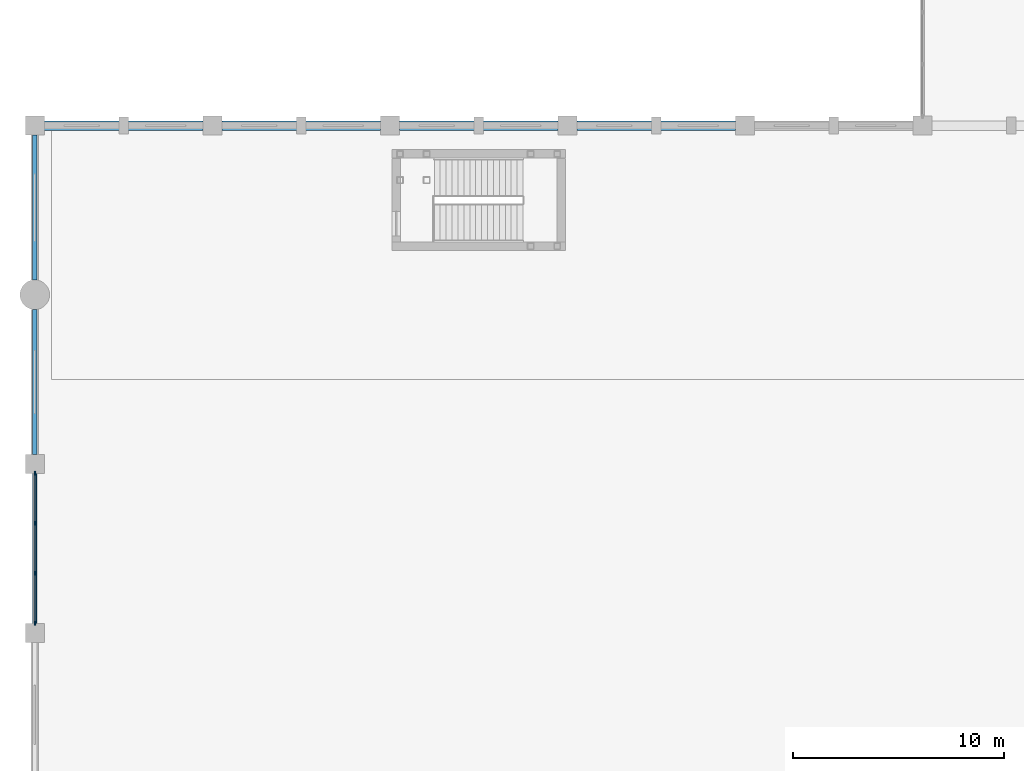
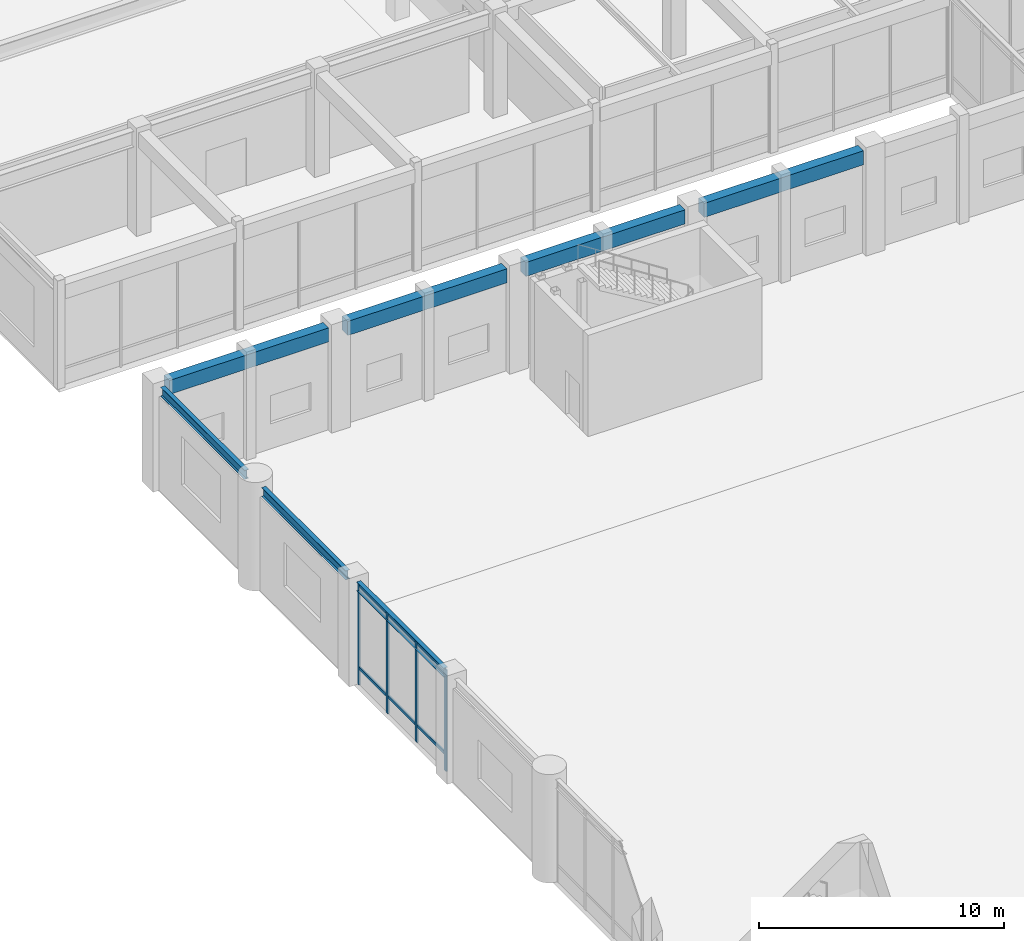
# One storey, part 21 of 79: 10 members, 7 beams, 1 element without a shape of its own.
"""IFC4 building model written with IfcOpenShell, lengths in metres."""

from ifc_helpers import new_model, si_unit, direction, frame, origin, origin_2d, place, context, subcontext, project, spatial, rectangle, i_section, extrude, material, layer, layer_set, material_profile, profile_set, type_object, element, aggregate, save


model = new_model("IFC4")

# Units and contexts
model_context = context("Model", 3, precision=1e-05, world=origin(), true_north=direction((0.0, 1.0)))
body_context = subcontext(model_context, "Body", "Model", "MODEL_VIEW")
ifc_project = project(units=[si_unit("LENGTHUNIT", "METRE"), si_unit("AREAUNIT", "SQUARE_METRE"), si_unit("VOLUMEUNIT", "CUBIC_METRE"), si_unit("PLANEANGLEUNIT", "RADIAN"), si_unit("MASSUNIT", "GRAM", prefix="KILO")], contexts=[model_context])

# Site, building, storey
site_placement = place(None, origin())
site = spatial("IfcSite", under=ifc_project, at=site_placement, CompositionType="ELEMENT")
building_placement = place(site_placement, origin())
building = spatial("IfcBuilding", under=site, at=building_placement, Name="Naruveol Harbour Congress Hotel", CompositionType="ELEMENT")
storey_placement = place(building_placement, frame((0.0, 0.0, 6.0)))
storey = spatial("IfcBuildingStorey", under=building, at=storey_placement, Name="L01", CompositionType="ELEMENT", Elevation=6.0)

# Beams
ifc_material_1 = material(Name="Concrete C40/50", Category="concrete")
ifc_material_profile_1 = material_profile(ifc_material_1, rectangle(XDim=0.449951171875, YDim=0.699951171875, at=origin_2d()), Name="RCB-450x700")
ifc_profile_set_1 = profile_set([ifc_material_profile_1], Name="Concrete C40/50")
beam_type_1 = type_object("IfcBeamType", Name="RC SPANDREL BEAM 450X700", PredefinedType="SPANDREL", material=ifc_profile_set_1)
for number, where, z_axis, x_axis, name in (
    (1, (0.446044921875, 56.0, 4.77001953125), (1.0, 0.0, 0.0), (0.0, 1.0, 0.0), "Floor girder L02 SPB1"),
    (2, (8.845947265625, 56.0, 4.77001953125), (1.0, 0.0, 0.0), (0.0, 1.0, 0.0), "Floor girder L02 SPB1"),
):
    element("IfcBeam", number, at=place(storey_placement, frame(where, z_axis=z_axis, x_axis=x_axis)), inside=storey, type_object=beam_type_1, Name=name, PredefinedType="SPANDREL", context=body_context, shape_type="SweptSolid", body=[
        extrude(rectangle(XDim=0.449951171875, YDim=0.699951171875, at=origin_2d()), origin(), (0.0, 0.0, 1.0), 7.508056640625),
    ])
beam_1_placement = place(storey_placement, frame((17.24609375, 56.0, 4.77001953125), z_axis=(1.0, 0.0, 0.0), x_axis=(0.0, 1.0, 0.0)))
element("IfcBeam", 3, at=beam_1_placement, inside=storey, type_object=beam_type_1, Name="Floor girder L02 SPB1", PredefinedType="SPANDREL", context=body_context, shape_type="SweptSolid", body=[
    extrude(rectangle(XDim=0.449951171875, YDim=0.699951171875, at=origin_2d()), origin(), (0.0, 0.0, 1.0), 7.5078125),
])
beam_2_placement = place(storey_placement, frame((25.64599609375, 56.0, 4.77001953125), z_axis=(1.0, 0.0, 0.0), x_axis=(0.0, 1.0, 0.0)))
element("IfcBeam", 4, at=beam_2_placement, inside=storey, type_object=beam_type_1, Name="Floor girder L02 SPB1", PredefinedType="SPANDREL", context=body_context, shape_type="SweptSolid", body=[
    extrude(rectangle(XDim=0.449951171875, YDim=0.699951171875, at=origin_2d()), origin(), (0.0, 0.0, 1.0), 7.508056640625),
])
ifc_material_2 = material(Name="Steel SN490", Category="steel")
ifc_material_profile_2 = material_profile(ifc_material_2, i_section(OverallWidth=0.199951171875, OverallDepth=0.449951171875, WebThickness=0.009033203125, FlangeThickness=0.013916015625, at=origin_2d()), Name="H-450x200x9x14")
ifc_profile_set_2 = profile_set([ifc_material_profile_2], Name="Steel SN490")
beam_type_2 = type_object("IfcBeamType", Name="STEEL SPANDREL EDGE BEAM H450", PredefinedType="SPANDREL", material=ifc_profile_set_2)
beam_3_placement = place(storey_placement, frame((0.0, 32.446044921875, 4.89501953125), z_axis=(0.0, 1.0, 0.0), x_axis=(-1.0, 0.0, 0.0)))
element("IfcBeam", 5, at=beam_3_placement, inside=storey, type_object=beam_type_2, Name="Transverse girder L02 SPB2", PredefinedType="SPANDREL", context=body_context, shape_type="SweptSolid", body=[
    extrude(i_section(OverallWidth=0.199951171875, OverallDepth=0.449951171875, WebThickness=0.009033203125, FlangeThickness=0.013916015625, at=origin_2d()), origin(), (0.0, 0.0, 1.0), 7.10791015625),
])
for number, where, z_axis, x_axis, name in (
    (6, (0.0, 40.446044921875, 4.89501953125), (0.0, 1.0, 0.0), (-1.0, 0.0, 0.0), "Transverse girder L02 SPB2"),
    (7, (0.0, 48.696044921875, 4.89501953125), (0.0, 1.0, 0.0), (-1.0, 0.0, 0.0), "Transverse girder L02 SPB2"),
):
    element("IfcBeam", number, at=place(storey_placement, frame(where, z_axis=z_axis, x_axis=x_axis)), inside=storey, type_object=beam_type_2, Name=name, PredefinedType="SPANDREL", context=body_context, shape_type="SweptSolid", body=[
        extrude(i_section(OverallWidth=0.199951171875, OverallDepth=0.449951171875, WebThickness=0.009033203125, FlangeThickness=0.013916015625, at=origin_2d()), origin(), (0.0, 0.0, 1.0), 6.85791015625),
    ])

# Curtain wall, members
ifc_material_3 = material(Name="Low-E Curtain Wall System", Category="glass")
ifc_layer = layer(ifc_material_3, 0.179931640625)
ifc_layer_set = layer_set([ifc_layer], Name="Low-E Curtain Wall System")
curtain_wall_type = type_object("IfcCurtainWallType", Name="UNITISED CURTAIN WALL CW-V1W-02 7100X5050", PredefinedType="USERDEFINED", material=ifc_layer_set)
curtain_wall_placement = place(storey_placement, origin())
curtain_wall = element("IfcCurtainWall", 8, at=curtain_wall_placement, inside=storey, type_object=curtain_wall_type, Name="Unitised curtain wall CW-V1W-02 L01", ObjectType="UNITISED GLAZING", PredefinedType="USERDEFINED")
ifc_material_4 = material(Name="Anodised Aluminium 6063-T6", Category="aluminium")
ifc_material_profile_3 = material_profile(ifc_material_4, rectangle(XDim=0.074951171875, YDim=0.179931640625, at=origin_2d()), Name="ALU-75x180")
ifc_profile_set_3 = profile_set([ifc_material_profile_3], Name="Anodised Aluminium 6063-T6")
member_type_1 = type_object("IfcMemberType", Name="THERMAL ALUMINIUM MULLION 75X180", PredefinedType="MULLION", material=ifc_profile_set_3)
member_1_placement = place(storey_placement, frame((0.0, 32.449951171875, 0.0), z_axis=(0.0, 0.0, 1.0), x_axis=(1.0, 0.0, 0.0)))
member_1 = element("IfcMember", 9, at=member_1_placement, type_object=member_type_1, Name="Curtain wall mullion CW-L01-0002-M0", PredefinedType="MULLION", context=body_context, shape_type="SweptSolid", body=[
    extrude(rectangle(XDim=0.074951171875, YDim=0.179931640625, at=origin_2d()), origin(), (0.0, 0.0, 1.0), 5.050048828125),
])
member_2_placement = place(storey_placement, frame((0.0, 34.816650390625, 0.0), z_axis=(0.0, 0.0, 1.0), x_axis=(1.0, 0.0, 0.0)))
member_2 = element("IfcMember", 10, at=member_2_placement, type_object=member_type_1, Name="Curtain wall mullion CW-L01-0002-M1", PredefinedType="MULLION", context=body_context, shape_type="SweptSolid", body=[
    extrude(rectangle(XDim=0.074951171875, YDim=0.179931640625, at=origin_2d()), origin(), (0.0, 0.0, 1.0), 5.050048828125),
])
member_3_placement = place(storey_placement, frame((0.0, 37.183349609375, 0.0), z_axis=(0.0, 0.0, 1.0), x_axis=(1.0, 0.0, 0.0)))
member_3 = element("IfcMember", 11, at=member_3_placement, type_object=member_type_1, Name="Curtain wall mullion CW-L01-0002-M2", PredefinedType="MULLION", context=body_context, shape_type="SweptSolid", body=[
    extrude(rectangle(XDim=0.074951171875, YDim=0.179931640625, at=origin_2d()), origin(), (0.0, 0.0, 1.0), 5.050048828125),
])
member_4_placement = place(storey_placement, frame((0.0, 39.550048828125, 0.0), z_axis=(0.0, 0.0, 1.0), x_axis=(1.0, 0.0, 0.0)))
member_4 = element("IfcMember", 12, at=member_4_placement, type_object=member_type_1, Name="Curtain wall mullion CW-L01-0002-M3", PredefinedType="MULLION", context=body_context, shape_type="SweptSolid", body=[
    extrude(rectangle(XDim=0.074951171875, YDim=0.179931640625, at=origin_2d()), origin(), (0.0, 0.0, 1.0), 5.050048828125),
])
ifc_material_5 = material(Name="Anodised Aluminium 6063-T6", Category="aluminium")
ifc_material_profile_4 = material_profile(ifc_material_5, rectangle(XDim=0.074951171875, YDim=0.14990234375, at=origin_2d()), Name="ALU-75x150")
ifc_profile_set_4 = profile_set([ifc_material_profile_4], Name="Anodised Aluminium 6063-T6")
member_type_2 = type_object("IfcMemberType", Name="THERMAL ALUMINIUM TRANSOM 75X150", PredefinedType="USERDEFINED", material=ifc_profile_set_4)
member_5_placement = place(storey_placement, frame((0.0, 32.489990234375, 0.85009765625), z_axis=(0.0, 1.0, 0.0), x_axis=(-1.0, 0.0, 0.0)))
member_5 = element("IfcMember", 13, at=member_5_placement, type_object=member_type_2, Name="Curtain wall transom CW-L01-0002-T0.1", ObjectType="TRANSOM", PredefinedType="USERDEFINED", context=body_context, shape_type="SweptSolid", body=[
    extrude(rectangle(XDim=0.074951171875, YDim=0.14990234375, at=origin_2d()), origin(), (0.0, 0.0, 1.0), 2.28662109375),
])
member_6_placement = place(storey_placement, frame((0.0, 32.489990234375, 4.969970703125), z_axis=(0.0, 1.0, 0.0), x_axis=(-1.0, 0.0, 0.0)))
member_6 = element("IfcMember", 14, at=member_6_placement, type_object=member_type_2, Name="Curtain wall transom CW-L01-0002-T0.2", ObjectType="TRANSOM", PredefinedType="USERDEFINED", context=body_context, shape_type="SweptSolid", body=[
    extrude(rectangle(XDim=0.074951171875, YDim=0.14990234375, at=origin_2d()), origin(), (0.0, 0.0, 1.0), 2.28662109375),
])
member_7_placement = place(storey_placement, frame((0.0, 34.856689453125, 0.85009765625), z_axis=(0.0, 1.0, 0.0), x_axis=(-1.0, 0.0, 0.0)))
member_7 = element("IfcMember", 15, at=member_7_placement, type_object=member_type_2, Name="Curtain wall transom CW-L01-0002-T1.1", ObjectType="TRANSOM", PredefinedType="USERDEFINED", context=body_context, shape_type="SweptSolid", body=[
    extrude(rectangle(XDim=0.074951171875, YDim=0.14990234375, at=origin_2d()), origin(), (0.0, 0.0, 1.0), 2.28662109375),
])
member_8_placement = place(storey_placement, frame((0.0, 34.856689453125, 4.969970703125), z_axis=(0.0, 1.0, 0.0), x_axis=(-1.0, 0.0, 0.0)))
member_8 = element("IfcMember", 16, at=member_8_placement, type_object=member_type_2, Name="Curtain wall transom CW-L01-0002-T1.2", ObjectType="TRANSOM", PredefinedType="USERDEFINED", context=body_context, shape_type="SweptSolid", body=[
    extrude(rectangle(XDim=0.074951171875, YDim=0.14990234375, at=origin_2d()), origin(), (0.0, 0.0, 1.0), 2.28662109375),
])
member_9_placement = place(storey_placement, frame((0.0, 37.223388671875, 0.85009765625), z_axis=(0.0, 1.0, 0.0), x_axis=(-1.0, 0.0, 0.0)))
member_9 = element("IfcMember", 17, at=member_9_placement, type_object=member_type_2, Name="Curtain wall transom CW-L01-0002-T2.1", ObjectType="TRANSOM", PredefinedType="USERDEFINED", context=body_context, shape_type="SweptSolid", body=[
    extrude(rectangle(XDim=0.074951171875, YDim=0.14990234375, at=origin_2d()), origin(), (0.0, 0.0, 1.0), 2.28662109375),
])
member_10_placement = place(storey_placement, frame((0.0, 37.223388671875, 4.969970703125), z_axis=(0.0, 1.0, 0.0), x_axis=(-1.0, 0.0, 0.0)))
member_10 = element("IfcMember", 18, at=member_10_placement, type_object=member_type_2, Name="Curtain wall transom CW-L01-0002-T2.2", ObjectType="TRANSOM", PredefinedType="USERDEFINED", context=body_context, shape_type="SweptSolid", body=[
    extrude(rectangle(XDim=0.074951171875, YDim=0.14990234375, at=origin_2d()), origin(), (0.0, 0.0, 1.0), 2.28662109375),
])
aggregate(curtain_wall, [member_1, member_2, member_3, member_4, member_5, member_6, member_7, member_8, member_9, member_10])

save(model, "model.ifc")
